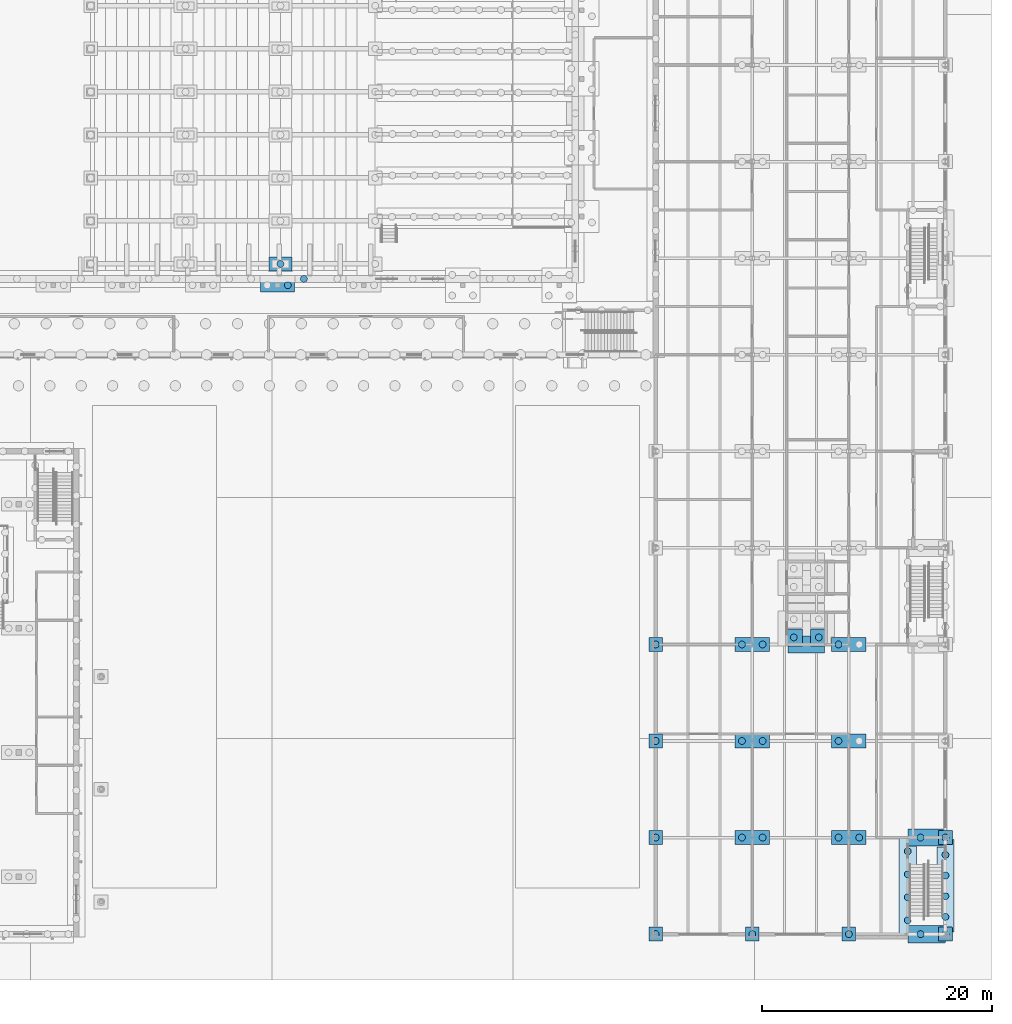
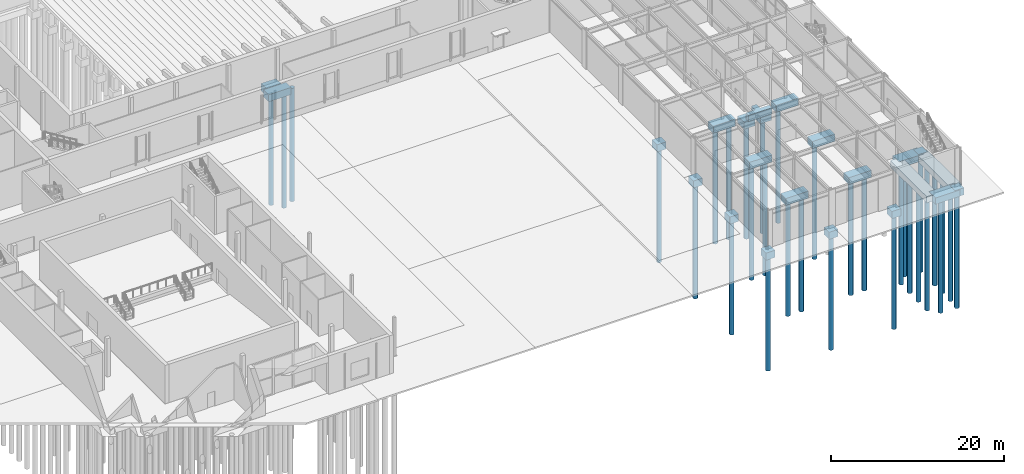
# One storey, part 6 of 127: 33 piles, 23 footings.
"""IFC4 building model written with IfcOpenShell, lengths in metres."""

from ifc_helpers import new_model, si_unit, direction, frame, origin, origin_2d, place, context, subcontext, project, spatial, polyline, circle, outline, extrude, material, layer, layer_set, material_profile, profile_set, type_object, element, save


model = new_model("IFC4")

# Units and contexts
model_context = context("Model", 3, precision=1e-05, world=origin(), true_north=direction((0.0, 1.0)))
body_context = subcontext(model_context, "Body", "Model", "MODEL_VIEW")
ifc_project = project(units=[si_unit("LENGTHUNIT", "METRE"), si_unit("AREAUNIT", "SQUARE_METRE"), si_unit("VOLUMEUNIT", "CUBIC_METRE"), si_unit("PLANEANGLEUNIT", "RADIAN"), si_unit("MASSUNIT", "GRAM", prefix="KILO")], contexts=[model_context])

# Site, building, storey
site_placement = place(None, origin())
site = spatial("IfcSite", under=ifc_project, at=site_placement, CompositionType="ELEMENT")
building_placement = place(site_placement, origin())
building = spatial("IfcBuilding", under=site, at=building_placement, Name="Ljudholm Concert House", CompositionType="ELEMENT")
storey_placement = place(building_placement, origin())
storey = spatial("IfcBuildingStorey", under=building, at=storey_placement, Name="L00", CompositionType="ELEMENT", Elevation=0.0)

# Piles
ifc_material_1 = material(Name="Concrete 5,000 psi", Category="concrete")
ifc_material_profile = material_profile(ifc_material_1, circle(Radius=0.300048828125, at=origin_2d()), Name="AUGER-CAST PILE D600")
ifc_profile_set = profile_set([ifc_material_profile], Name="Concrete 5,000 psi")
pile_type = type_object("IfcPileType", Name="AUGER-CAST PILE D600", PredefinedType="BORED", material=ifc_profile_set)
for number, where, z_axis, x_axis, name in (
    (1, (64.39990234375, 60.449951171875, -1.300048828125), (0.0, 0.0, -1.0), (1.0, 0.0, 0.0), "Pile D600"),
    (2, (63.75, 62.300048828125, -1.804931640625), (0.0, 0.0, -1.0), (1.0, 0.0, 0.0), "Pile D600"),
    (3, (96.39990234375, 4.0, -1.25), (0.0, 0.0, -1.0), (1.0, 0.0, 0.0), "Pile D600"),
    (4, (96.39990234375, 12.39990234375, -1.25), (0.0, 0.0, -1.0), (1.0, 0.0, 0.0), "Pile D600"),
    (5, (96.39990234375, 20.800048828125, -1.25), (0.0, 0.0, -1.0), (1.0, 0.0, 0.0), "Pile D600"),
    (6, (96.39990234375, 29.199951171875, -1.25), (0.0, 0.0, -1.0), (1.0, 0.0, 0.0), "Pile D600"),
    (7, (104.800048828125, 4.0, -1.25), (0.0, 0.0, -1.0), (1.0, 0.0, 0.0), "Pile D600"),
    (8, (103.89990234375, 12.39990234375, -1.25), (0.0, 0.0, -1.0), (1.0, 0.0, 0.0), "Pile D600"),
    (9, (105.699951171875, 12.39990234375, -1.25), (0.0, 0.0, -1.0), (1.0, 0.0, 0.0), "Pile D600"),
    (10, (103.89990234375, 20.800048828125, -1.25), (0.0, 0.0, -1.0), (1.0, 0.0, 0.0), "Pile D600"),
    (11, (105.699951171875, 20.800048828125, -1.25), (0.0, 0.0, -1.0), (1.0, 0.0, 0.0), "Pile D600"),
    (12, (103.89990234375, 29.199951171875, -1.25), (0.0, 0.0, -1.0), (1.0, 0.0, 0.0), "Pile D600"),
    (13, (105.699951171875, 29.199951171875, -1.25), (0.0, 0.0, -1.0), (1.0, 0.0, 0.0), "Pile D600"),
    (14, (113.199951171875, 4.0, -1.25), (0.0, 0.0, -1.0), (1.0, 0.0, 0.0), "Pile D600"),
    (15, (112.300048828125, 12.39990234375, -1.25), (0.0, 0.0, -1.0), (1.0, 0.0, 0.0), "Pile D600"),
    (16, (114.10009765625, 12.39990234375, -1.25), (0.0, 0.0, -1.0), (1.0, 0.0, 0.0), "Pile D600"),
    (17, (112.300048828125, 20.800048828125, -1.25), (0.0, 0.0, -1.0), (1.0, 0.0, 0.0), "Pile D600"),
    (18, (112.300048828125, 29.199951171875, -1.25), (0.0, 0.0, -1.0), (1.0, 0.0, 0.0), "Pile D600"),
    (19, (121.60009765625, 4.0, -1.25), (0.0, 0.0, -1.0), (1.0, 0.0, 0.0), "Pile D600"),
    (20, (121.60009765625, 12.39990234375, -1.25), (0.0, 0.0, -1.0), (1.0, 0.0, 0.0), "Pile D600"),
    (21, (108.41259765625, 29.8125, -2.5), (0.0, 0.0, -1.0), (1.0, 0.0, 0.0), "Pile D600"),
    (22, (110.58740234375, 29.8125, -2.5), (0.0, 0.0, -1.0), (1.0, 0.0, 0.0), "Pile D600"),
    (23, (119.4375, 12.39990234375, -1.14990234375), (0.0, 0.0, -1.0), (1.0, 0.0, 0.0), "Pile D600"),
    (24, (119.4375, 4.0, -1.14990234375), (0.0, 0.0, -1.0), (1.0, 0.0, 0.0), "Pile D600"),
    (25, (65.795166015625, 61.0, -1.199951171875), (0.0, 0.0, -1.0), (1.0, 0.0, 0.0), "Pile D600"),
    (26, (118.324951171875, 5.199951171875, -1.14990234375), (0.0, 0.0, -1.0), (1.0, 0.0, 0.0), "Pile D600"),
    (27, (118.324951171875, 7.199951171875, -1.14990234375), (0.0, 0.0, -1.0), (1.0, 0.0, 0.0), "Pile D600"),
    (28, (118.324951171875, 9.199951171875, -1.14990234375), (0.0, 0.0, -1.0), (1.0, 0.0, 0.0), "Pile D600"),
    (29, (118.324951171875, 11.199951171875, -1.14990234375), (0.0, 0.0, -1.0), (1.0, 0.0, 0.0), "Pile D600"),
    (30, (121.60009765625, 5.5, -1.14990234375), (0.0, 0.0, -1.0), (1.0, 0.0, 0.0), "Pile D600"),
    (31, (121.60009765625, 7.300048828125, -1.14990234375), (0.0, 0.0, -1.0), (1.0, 0.0, 0.0), "Pile D600"),
    (32, (121.60009765625, 9.10009765625, -1.14990234375), (0.0, 0.0, -1.0), (1.0, 0.0, 0.0), "Pile D600"),
    (33, (121.60009765625, 10.89990234375, -1.14990234375), (0.0, 0.0, -1.0), (1.0, 0.0, 0.0), "Pile D600"),
):
    element("IfcPile", number, at=place(storey_placement, frame(where, z_axis=z_axis, x_axis=x_axis)), inside=storey, type_object=pile_type, Name=name, PredefinedType="BORED", context=body_context, shape_type="SweptSolid", body=[
        extrude(circle(Radius=0.300048828125, at=origin_2d()), origin(), (0.0, 0.0, 1.0), 16.0),
    ])

# Footings
ifc_material_2 = material(Name="Concrete 5,000 psi", Category="concrete")
ifc_layer_1 = layer(ifc_material_2, 1.0)
ifc_layer_set_1 = layer_set([ifc_layer_1], Name="Concrete 5,000 psi")
footing_type_1 = type_object("IfcFootingType", Name="RC PILE CAP 1200x1200x1000", PredefinedType="PILE_CAP", material=ifc_layer_set_1)
footing_1_placement = place(storey_placement, frame((0.0, 0.0, -1.25)))
element("IfcFooting", 34, at=footing_1_placement, inside=storey, type_object=footing_type_1, Name="Pile cap", PredefinedType="PILE_CAP", context=body_context, shape_type="SweptSolid", body=[
    extrude(outline(polyline([(95.81005859375, 3.39990234375), (96.989990234375, 3.39990234375), (96.993896484375, 3.40087890625), (96.9970703125, 3.40283203125), (96.999267578125, 3.40625), (97.0, 3.409912109375), (97.0, 4.590087890625), (96.999267578125, 4.59375), (96.9970703125, 4.59716796875), (96.993896484375, 4.59912109375), (96.989990234375, 4.60009765625), (95.81005859375, 4.60009765625), (95.80615234375, 4.59912109375), (95.802978515625, 4.59716796875), (95.80078125, 4.59375), (95.800048828125, 4.590087890625), (95.800048828125, 3.409912109375), (95.80078125, 3.40625), (95.802978515625, 3.40283203125), (95.80615234375, 3.40087890625), (95.81005859375, 3.39990234375)])), origin(), (0.0, 0.0, 1.0), 1.0),
])
footing_2_placement = place(storey_placement, frame((0.0, 0.0, -1.25)))
element("IfcFooting", 35, at=footing_2_placement, inside=storey, type_object=footing_type_1, Name="Pile cap", PredefinedType="PILE_CAP", context=body_context, shape_type="SweptSolid", body=[
    extrude(outline(polyline([(95.800048828125, 12.989990234375), (95.800048828125, 11.81005859375), (95.80078125, 11.80615234375), (95.802978515625, 11.802978515625), (95.80615234375, 11.80078125), (95.81005859375, 11.800048828125), (96.989990234375, 11.800048828125), (96.993896484375, 11.80078125), (96.9970703125, 11.802978515625), (96.999267578125, 11.80615234375), (97.0, 11.81005859375), (97.0, 12.989990234375), (96.999267578125, 12.993896484375), (96.9970703125, 12.9970703125), (96.993896484375, 12.999267578125), (96.989990234375, 13.0), (95.81005859375, 13.0), (95.80615234375, 12.999267578125), (95.802978515625, 12.9970703125), (95.80078125, 12.993896484375), (95.800048828125, 12.989990234375)])), origin(), (0.0, 0.0, 1.0), 1.0),
])
footing_3_placement = place(storey_placement, frame((0.0, 0.0, -1.25)))
element("IfcFooting", 36, at=footing_3_placement, inside=storey, type_object=footing_type_1, Name="Pile cap", PredefinedType="PILE_CAP", context=body_context, shape_type="SweptSolid", body=[
    extrude(outline(polyline([(95.81005859375, 20.199951171875), (96.989990234375, 20.199951171875), (96.993896484375, 20.20068359375), (96.9970703125, 20.202880859375), (96.999267578125, 20.2060546875), (97.0, 20.2099609375), (97.0, 21.389892578125), (96.999267578125, 21.393798828125), (96.9970703125, 21.39697265625), (96.993896484375, 21.399169921875), (96.989990234375, 21.39990234375), (95.81005859375, 21.39990234375), (95.80615234375, 21.399169921875), (95.802978515625, 21.39697265625), (95.80078125, 21.393798828125), (95.800048828125, 21.389892578125), (95.800048828125, 20.2099609375), (95.80078125, 20.2060546875), (95.802978515625, 20.202880859375), (95.80615234375, 20.20068359375), (95.81005859375, 20.199951171875)])), origin(), (0.0, 0.0, 1.0), 1.0),
])
footing_4_placement = place(storey_placement, frame((0.0, 0.0, -1.25)))
element("IfcFooting", 37, at=footing_4_placement, inside=storey, type_object=footing_type_1, Name="Pile cap", PredefinedType="PILE_CAP", context=body_context, shape_type="SweptSolid", body=[
    extrude(outline(polyline([(95.800048828125, 29.7900390625), (95.800048828125, 28.610107421875), (95.80078125, 28.606201171875), (95.802978515625, 28.60302734375), (95.80615234375, 28.600830078125), (95.81005859375, 28.60009765625), (96.989990234375, 28.60009765625), (96.993896484375, 28.600830078125), (96.9970703125, 28.60302734375), (96.999267578125, 28.606201171875), (97.0, 28.610107421875), (97.0, 29.7900390625), (96.999267578125, 29.7939453125), (96.9970703125, 29.797119140625), (96.993896484375, 29.79931640625), (96.989990234375, 29.800048828125), (95.81005859375, 29.800048828125), (95.80615234375, 29.79931640625), (95.802978515625, 29.797119140625), (95.80078125, 29.7939453125), (95.800048828125, 29.7900390625)])), origin(), (0.0, 0.0, 1.0), 1.0),
])
footing_5_placement = place(storey_placement, frame((0.0, 0.0, -1.25)))
element("IfcFooting", 38, at=footing_5_placement, inside=storey, type_object=footing_type_1, Name="Pile cap", PredefinedType="PILE_CAP", context=body_context, shape_type="SweptSolid", body=[
    extrude(outline(polyline([(104.199951171875, 4.590087890625), (104.199951171875, 3.409912109375), (104.20068359375, 3.40625), (104.202880859375, 3.40283203125), (104.2060546875, 3.40087890625), (104.2099609375, 3.39990234375), (105.389892578125, 3.39990234375), (105.393798828125, 3.40087890625), (105.39697265625, 3.40283203125), (105.399169921875, 3.40625), (105.39990234375, 3.409912109375), (105.39990234375, 4.590087890625), (105.399169921875, 4.59375), (105.39697265625, 4.59716796875), (105.393798828125, 4.59912109375), (105.389892578125, 4.60009765625), (104.2099609375, 4.60009765625), (104.2060546875, 4.59912109375), (104.202880859375, 4.59716796875), (104.20068359375, 4.59375), (104.199951171875, 4.590087890625)])), origin(), (0.0, 0.0, 1.0), 1.0),
])
footing_6_placement = place(storey_placement, frame((0.0, 0.0, -1.25)))
element("IfcFooting", 39, at=footing_6_placement, inside=storey, type_object=footing_type_1, Name="Pile cap", PredefinedType="PILE_CAP", context=body_context, shape_type="SweptSolid", body=[
    extrude(outline(polyline([(112.60009765625, 4.590087890625), (112.60009765625, 3.409912109375), (112.600830078125, 3.40625), (112.60302734375, 3.40283203125), (112.606201171875, 3.40087890625), (112.610107421875, 3.39990234375), (113.7900390625, 3.39990234375), (113.7939453125, 3.40087890625), (113.797119140625, 3.40283203125), (113.79931640625, 3.40625), (113.800048828125, 3.409912109375), (113.800048828125, 4.590087890625), (113.79931640625, 4.59375), (113.797119140625, 4.59716796875), (113.7939453125, 4.59912109375), (113.7900390625, 4.60009765625), (112.610107421875, 4.60009765625), (112.606201171875, 4.59912109375), (112.60302734375, 4.59716796875), (112.600830078125, 4.59375), (112.60009765625, 4.590087890625)])), origin(), (0.0, 0.0, 1.0), 1.0),
])
footing_7_placement = place(storey_placement, frame((0.0, 0.0, -1.25)))
element("IfcFooting", 40, at=footing_7_placement, inside=storey, type_object=footing_type_1, Name="Pile cap", PredefinedType="PILE_CAP", context=body_context, shape_type="SweptSolid", body=[
    extrude(outline(polyline([(121.010009765625, 3.39990234375), (122.18994140625, 3.39990234375), (122.19384765625, 3.40087890625), (122.197021484375, 3.40283203125), (122.19921875, 3.40625), (122.199951171875, 3.409912109375), (122.199951171875, 4.590087890625), (122.19921875, 4.59375), (122.197021484375, 4.59716796875), (122.19384765625, 4.59912109375), (122.18994140625, 4.60009765625), (121.010009765625, 4.60009765625), (121.006103515625, 4.59912109375), (121.0029296875, 4.59716796875), (121.000732421875, 4.59375), (121.0, 4.590087890625), (121.0, 3.409912109375), (121.000732421875, 3.40625), (121.0029296875, 3.40283203125), (121.006103515625, 3.40087890625), (121.010009765625, 3.39990234375)])), origin(), (0.0, 0.0, 1.0), 1.0),
])
footing_8_placement = place(storey_placement, frame((0.0, 0.0, -1.25)))
element("IfcFooting", 41, at=footing_8_placement, inside=storey, type_object=footing_type_1, Name="Pile cap", PredefinedType="PILE_CAP", context=body_context, shape_type="SweptSolid", body=[
    extrude(outline(polyline([(121.0, 12.989990234375), (121.0, 11.81005859375), (121.000732421875, 11.80615234375), (121.0029296875, 11.802978515625), (121.006103515625, 11.80078125), (121.010009765625, 11.800048828125), (122.18994140625, 11.800048828125), (122.19384765625, 11.80078125), (122.197021484375, 11.802978515625), (122.19921875, 11.80615234375), (122.199951171875, 11.81005859375), (122.199951171875, 12.989990234375), (122.19921875, 12.993896484375), (122.197021484375, 12.9970703125), (122.19384765625, 12.999267578125), (122.18994140625, 13.0), (121.010009765625, 13.0), (121.006103515625, 12.999267578125), (121.0029296875, 12.9970703125), (121.000732421875, 12.993896484375), (121.0, 12.989990234375)])), origin(), (0.0, 0.0, 1.0), 1.0),
])
ifc_material_3 = material(Name="Concrete 5,000 psi", Category="concrete")
ifc_layer_2 = layer(ifc_material_3, 1.0)
ifc_layer_set_2 = layer_set([ifc_layer_2], Name="Concrete 5,000 psi")
footing_type_2 = type_object("IfcFootingType", Name="RC PILE CAP 1500x1500x1000", PredefinedType="PILE_CAP", material=ifc_layer_set_2)
footing_9_placement = place(storey_placement, frame((0.0, 0.0, -2.5)))
element("IfcFooting", 42, at=footing_9_placement, inside=storey, type_object=footing_type_2, Name="Pile cap", PredefinedType="PILE_CAP", context=body_context, shape_type="SweptSolid", body=[
    extrude(outline(polyline([(107.68505859375, 29.074951171875), (109.139892578125, 29.074951171875), (109.143798828125, 29.07568359375), (109.14697265625, 29.077880859375), (109.149169921875, 29.0810546875), (109.14990234375, 29.0849609375), (109.14990234375, 30.5400390625), (109.149169921875, 30.5439453125), (109.14697265625, 30.547119140625), (109.143798828125, 30.54931640625), (109.139892578125, 30.550048828125), (107.68505859375, 30.550048828125), (107.68115234375, 30.54931640625), (107.677978515625, 30.547119140625), (107.67578125, 30.5439453125), (107.675048828125, 30.5400390625), (107.675048828125, 29.0849609375), (107.67578125, 29.0810546875), (107.677978515625, 29.077880859375), (107.68115234375, 29.07568359375), (107.68505859375, 29.074951171875)])), origin(), (0.0, 0.0, 1.0), 1.0),
])
footing_10_placement = place(storey_placement, frame((0.0, 0.0, -2.5)))
element("IfcFooting", 43, at=footing_10_placement, inside=storey, type_object=footing_type_2, Name="Pile cap", PredefinedType="PILE_CAP", context=body_context, shape_type="SweptSolid", body=[
    extrude(outline(polyline([(109.860107421875, 29.074951171875), (111.31494140625, 29.074951171875), (111.31884765625, 29.07568359375), (111.322021484375, 29.077880859375), (111.32421875, 29.0810546875), (111.324951171875, 29.0849609375), (111.324951171875, 30.5400390625), (111.32421875, 30.5439453125), (111.322021484375, 30.547119140625), (111.31884765625, 30.54931640625), (111.31494140625, 30.550048828125), (109.860107421875, 30.550048828125), (109.856201171875, 30.54931640625), (109.85302734375, 30.547119140625), (109.850830078125, 30.5439453125), (109.85009765625, 30.5400390625), (109.85009765625, 29.0849609375), (109.850830078125, 29.0810546875), (109.85302734375, 29.077880859375), (109.856201171875, 29.07568359375), (109.860107421875, 29.074951171875)])), origin(), (0.0, 0.0, 1.0), 1.0),
])
ifc_material_4 = material(Name="Concrete 5,000 psi", Category="concrete")
ifc_layer_3 = layer(ifc_material_4, 1.0)
ifc_layer_set_3 = layer_set([ifc_layer_3], Name="Concrete 5,000 psi")
footing_type_3 = type_object("IfcFootingType", Name="RC PILE CAP 2000x1200x1000", PredefinedType="PILE_CAP", material=ifc_layer_set_3)
footing_11_placement = place(storey_placement, frame((0.0, 0.0, -1.804931640625)))
element("IfcFooting", 44, at=footing_11_placement, inside=storey, type_object=footing_type_3, Name="Pile cap", PredefinedType="PILE_CAP", context=body_context, shape_type="SweptSolid", body=[
    extrude(outline(polyline([(62.760009765625, 61.699951171875), (64.739990234375, 61.699951171875), (64.74560546875, 61.70166015625), (64.748779296875, 61.705322265625), (64.75, 61.7099609375), (64.75, 62.889892578125), (64.748291015625, 62.8955078125), (64.74462890625, 62.89892578125), (64.739990234375, 62.89990234375), (62.760009765625, 62.89990234375), (62.75439453125, 62.898193359375), (62.751220703125, 62.894775390625), (62.75, 62.889892578125), (62.75, 61.7099609375), (62.750732421875, 61.7060546875), (62.7529296875, 61.702880859375), (62.756103515625, 61.70068359375), (62.760009765625, 61.699951171875)])), origin(), (0.0, 0.0, 1.0), 1.0),
])
ifc_material_5 = material(Name="Concrete 5,000 psi", Category="concrete")
ifc_layer_4 = layer(ifc_material_5, 1.0)
ifc_layer_set_4 = layer_set([ifc_layer_4], Name="Concrete 5,000 psi")
footing_type_4 = type_object("IfcFootingType", Name="RC PILE CAP 3000x1200x1000", PredefinedType="PILE_CAP", material=ifc_layer_set_4)
footing_12_placement = place(storey_placement, frame((0.0, 0.0, -1.300048828125)))
element("IfcFooting", 45, at=footing_12_placement, inside=storey, type_object=footing_type_4, Name="Pile cap", PredefinedType="PILE_CAP", context=body_context, shape_type="SweptSolid", body=[
    extrude(outline(polyline([(62.0, 61.0400390625), (62.0, 59.860107421875), (62.001708984375, 59.8544921875), (62.006103515625, 59.850830078125), (62.010009765625, 59.85009765625), (64.989990234375, 59.85009765625), (64.99560546875, 59.851806640625), (64.999267578125, 59.856201171875), (65.0, 59.860107421875), (65.0, 61.0400390625), (64.998291015625, 61.045654296875), (64.993896484375, 61.04931640625), (64.989990234375, 61.050048828125), (62.010009765625, 61.050048828125), (62.006103515625, 61.04931640625), (62.0029296875, 61.047119140625), (62.000732421875, 61.0439453125), (62.0, 61.0400390625)])), origin(), (0.0, 0.0, 1.0), 1.0),
])
footing_13_placement = place(storey_placement, frame((0.0, 0.0, -1.25)))
element("IfcFooting", 46, at=footing_13_placement, inside=storey, type_object=footing_type_4, Name="Pile cap", PredefinedType="PILE_CAP", context=body_context, shape_type="SweptSolid", body=[
    extrude(outline(polyline([(103.300048828125, 12.989990234375), (103.300048828125, 11.81005859375), (103.3017578125, 11.804443359375), (103.30615234375, 11.80078125), (103.31005859375, 11.800048828125), (106.2900390625, 11.800048828125), (106.295654296875, 11.8017578125), (106.29931640625, 11.80615234375), (106.300048828125, 11.81005859375), (106.300048828125, 12.989990234375), (106.29833984375, 12.99560546875), (106.2939453125, 12.999267578125), (106.2900390625, 13.0), (103.31005859375, 13.0), (103.30615234375, 12.999267578125), (103.302978515625, 12.9970703125), (103.30078125, 12.993896484375), (103.300048828125, 12.989990234375)])), origin(), (0.0, 0.0, 1.0), 1.0),
])
footing_14_placement = place(storey_placement, frame((0.0, 0.0, -1.25)))
element("IfcFooting", 47, at=footing_14_placement, inside=storey, type_object=footing_type_4, Name="Pile cap", PredefinedType="PILE_CAP", context=body_context, shape_type="SweptSolid", body=[
    extrude(outline(polyline([(103.31005859375, 20.199951171875), (106.2900390625, 20.199951171875), (106.2939453125, 20.20068359375), (106.29833984375, 20.204345703125), (106.300048828125, 20.2099609375), (106.300048828125, 21.389892578125), (106.29931640625, 21.393798828125), (106.295654296875, 21.398193359375), (106.2900390625, 21.39990234375), (103.31005859375, 21.39990234375), (103.30615234375, 21.399169921875), (103.3017578125, 21.3955078125), (103.300048828125, 21.389892578125), (103.300048828125, 20.2099609375), (103.30078125, 20.2060546875), (103.302978515625, 20.202880859375), (103.30615234375, 20.20068359375), (103.31005859375, 20.199951171875)])), origin(), (0.0, 0.0, 1.0), 1.0),
])
footing_15_placement = place(storey_placement, frame((0.0, 0.0, -1.25)))
element("IfcFooting", 48, at=footing_15_placement, inside=storey, type_object=footing_type_4, Name="Pile cap", PredefinedType="PILE_CAP", context=body_context, shape_type="SweptSolid", body=[
    extrude(outline(polyline([(103.300048828125, 29.7900390625), (103.300048828125, 28.610107421875), (103.3017578125, 28.6044921875), (103.30615234375, 28.600830078125), (103.31005859375, 28.60009765625), (106.2900390625, 28.60009765625), (106.295654296875, 28.601806640625), (106.29931640625, 28.606201171875), (106.300048828125, 28.610107421875), (106.300048828125, 29.7900390625), (106.29833984375, 29.795654296875), (106.2939453125, 29.79931640625), (106.2900390625, 29.800048828125), (103.31005859375, 29.800048828125), (103.30615234375, 29.79931640625), (103.302978515625, 29.797119140625), (103.30078125, 29.7939453125), (103.300048828125, 29.7900390625)])), origin(), (0.0, 0.0, 1.0), 1.0),
])
footing_16_placement = place(storey_placement, frame((0.0, 0.0, -1.25)))
element("IfcFooting", 49, at=footing_16_placement, inside=storey, type_object=footing_type_4, Name="Pile cap", PredefinedType="PILE_CAP", context=body_context, shape_type="SweptSolid", body=[
    extrude(outline(polyline([(111.699951171875, 12.989990234375), (111.699951171875, 11.81005859375), (111.70166015625, 11.804443359375), (111.7060546875, 11.80078125), (111.7099609375, 11.800048828125), (114.68994140625, 11.800048828125), (114.695556640625, 11.8017578125), (114.69921875, 11.80615234375), (114.699951171875, 11.81005859375), (114.699951171875, 12.989990234375), (114.6982421875, 12.99560546875), (114.69384765625, 12.999267578125), (114.68994140625, 13.0), (111.7099609375, 13.0), (111.7060546875, 12.999267578125), (111.702880859375, 12.9970703125), (111.70068359375, 12.993896484375), (111.699951171875, 12.989990234375)])), origin(), (0.0, 0.0, 1.0), 1.0),
])
footing_17_placement = place(storey_placement, frame((0.0, 0.0, -1.25)))
element("IfcFooting", 50, at=footing_17_placement, inside=storey, type_object=footing_type_4, Name="Pile cap", PredefinedType="PILE_CAP", context=body_context, shape_type="SweptSolid", body=[
    extrude(outline(polyline([(111.699951171875, 21.389892578125), (111.699951171875, 20.2099609375), (111.70166015625, 20.204345703125), (111.7060546875, 20.20068359375), (111.7099609375, 20.199951171875), (114.68994140625, 20.199951171875), (114.695556640625, 20.20166015625), (114.69921875, 20.2060546875), (114.699951171875, 20.2099609375), (114.699951171875, 21.389892578125), (114.6982421875, 21.3955078125), (114.69384765625, 21.399169921875), (114.68994140625, 21.39990234375), (111.7099609375, 21.39990234375), (111.7060546875, 21.399169921875), (111.702880859375, 21.39697265625), (111.70068359375, 21.393798828125), (111.699951171875, 21.389892578125)])), origin(), (0.0, 0.0, 1.0), 1.0),
])
footing_18_placement = place(storey_placement, frame((0.0, 0.0, -1.25)))
element("IfcFooting", 51, at=footing_18_placement, inside=storey, type_object=footing_type_4, Name="Pile cap", PredefinedType="PILE_CAP", context=body_context, shape_type="SweptSolid", body=[
    extrude(outline(polyline([(111.7099609375, 28.60009765625), (114.68994140625, 28.60009765625), (114.69384765625, 28.600830078125), (114.6982421875, 28.6044921875), (114.699951171875, 28.610107421875), (114.699951171875, 29.7900390625), (114.69921875, 29.7939453125), (114.695556640625, 29.79833984375), (114.68994140625, 29.800048828125), (111.7099609375, 29.800048828125), (111.7060546875, 29.79931640625), (111.70166015625, 29.795654296875), (111.699951171875, 29.7900390625), (111.699951171875, 28.610107421875), (111.70068359375, 28.606201171875), (111.702880859375, 28.60302734375), (111.7060546875, 28.600830078125), (111.7099609375, 28.60009765625)])), origin(), (0.0, 0.0, 1.0), 1.0),
])
ifc_material_6 = material(Name="Concrete 5,000 psi", Category="concrete")
ifc_layer_5 = layer(ifc_material_6, 0.89990234375)
ifc_layer_set_5 = layer_set([ifc_layer_5], Name="Concrete 5,000 psi")
footing_type_5 = type_object("IfcFootingType", Name="RC STRIP FOOTING 1500x900", PredefinedType="STRIP_FOOTING", material=ifc_layer_set_5)
footing_19_placement = place(storey_placement, frame((0.0, 0.0, -1.14990234375)))
element("IfcFooting", 52, at=footing_19_placement, inside=storey, type_object=footing_type_5, Name="Strip footing", PredefinedType="STRIP_FOOTING", context=body_context, shape_type="SweptSolid", body=[
    extrude(outline(polyline([(118.3349609375, 11.64990234375), (121.581787109375, 11.64990234375), (121.585693359375, 11.65087890625), (121.590087890625, 11.654541015625), (121.591796875, 11.659912109375), (121.591796875, 11.7900390625), (121.590087890625, 11.795654296875), (121.58740234375, 11.79833984375), (121.584716796875, 11.799560546875), (121.01025390625, 11.800048828125), (121.00439453125, 11.8017578125), (121.000732421875, 11.80615234375), (121.0, 11.810302734375), (121.0, 12.98974609375), (121.000732421875, 12.993896484375), (121.0029296875, 12.9970703125), (121.006103515625, 12.999267578125), (121.01025390625, 13.0), (121.584716796875, 13.00048828125), (121.58740234375, 13.001708984375), (121.590087890625, 13.00439453125), (121.591796875, 13.010009765625), (121.591796875, 13.139892578125), (121.591064453125, 13.143798828125), (121.58740234375, 13.148193359375), (121.581787109375, 13.14990234375), (118.3349609375, 13.14990234375), (118.3310546875, 13.149169921875), (118.32666015625, 13.1455078125), (118.324951171875, 13.139892578125), (118.324951171875, 11.659912109375), (118.32568359375, 11.65625), (118.327880859375, 11.65283203125), (118.3310546875, 11.65087890625), (118.3349609375, 11.64990234375)])), origin(), (0.0, 0.0, 1.0), 0.89990234375),
])
footing_20_placement = place(storey_placement, frame((0.0, 0.0, -1.14990234375)))
element("IfcFooting", 53, at=footing_20_placement, inside=storey, type_object=footing_type_5, Name="Strip footing", PredefinedType="STRIP_FOOTING", context=body_context, shape_type="SweptSolid", body=[
    extrude(outline(polyline([(118.3349609375, 3.25), (121.581787109375, 3.25), (121.585693359375, 3.250732421875), (121.590087890625, 3.25439453125), (121.591796875, 3.260009765625), (121.591796875, 3.389892578125), (121.590087890625, 3.3955078125), (121.58740234375, 3.398193359375), (121.584716796875, 3.399658203125), (121.01025390625, 3.39990234375), (121.00439453125, 3.401611328125), (121.000732421875, 3.40625), (121.0, 3.41015625), (121.0, 4.58984375), (121.000732421875, 4.59375), (121.0029296875, 4.59716796875), (121.006103515625, 4.59912109375), (121.01025390625, 4.60009765625), (121.584716796875, 4.600341796875), (121.58740234375, 4.601806640625), (121.590087890625, 4.6044921875), (121.591796875, 4.610107421875), (121.591796875, 4.739990234375), (121.591064453125, 4.743896484375), (121.58740234375, 4.748291015625), (121.581787109375, 4.75), (118.3349609375, 4.75), (118.3310546875, 4.749267578125), (118.32666015625, 4.74560546875), (118.324951171875, 4.739990234375), (118.324951171875, 3.260009765625), (118.32568359375, 3.256103515625), (118.327880859375, 3.2529296875), (118.3310546875, 3.250732421875), (118.3349609375, 3.25)])), origin(), (0.0, 0.0, 1.0), 0.89990234375),
])
footing_21_placement = place(storey_placement, frame((0.0, 0.0, -1.14990234375)))
element("IfcFooting", 54, at=footing_21_placement, inside=storey, type_object=footing_type_5, Name="Strip footing", PredefinedType="STRIP_FOOTING", context=body_context, shape_type="SweptSolid", body=[
    extrude(outline(polyline([(107.93505859375, 28.449951171875), (111.06689453125, 28.4501953125), (111.070556640625, 28.45166015625), (111.07275390625, 28.45361328125), (111.07421875, 28.4560546875), (111.074951171875, 28.4599609375), (111.07470703125, 29.06689453125), (111.07373046875, 29.06982421875), (111.0712890625, 29.07275390625), (111.06884765625, 29.07421875), (111.06494140625, 29.074951171875), (109.8603515625, 29.074951171875), (109.856201171875, 29.07568359375), (109.851806640625, 29.079345703125), (109.85009765625, 29.085205078125), (109.85009765625, 29.93994140625), (109.84912109375, 29.94384765625), (109.84765625, 29.9462890625), (109.8447265625, 29.94873046875), (109.840087890625, 29.949951171875), (109.157958984375, 29.94970703125), (109.154541015625, 29.9482421875), (109.15234375, 29.9462890625), (109.15087890625, 29.94384765625), (109.14990234375, 29.93994140625), (109.14990234375, 29.085205078125), (109.149658203125, 29.08203125), (109.147705078125, 29.07861328125), (109.143798828125, 29.07568359375), (109.1396484375, 29.074951171875), (107.93505859375, 29.074951171875), (107.93017578125, 29.07373046875), (107.92626953125, 29.06982421875), (107.925048828125, 29.06494140625), (107.925048828125, 28.4599609375), (107.92578125, 28.4560546875), (107.927978515625, 28.452880859375), (107.93115234375, 28.45068359375), (107.93505859375, 28.449951171875)])), origin(), (0.0, 0.0, 1.0), 0.89990234375),
])
footing_22_placement = place(storey_placement, frame((0.0, 0.0, -1.14990234375)))
element("IfcFooting", 55, at=footing_22_placement, inside=storey, type_object=footing_type_5, Name="Strip footing", PredefinedType="STRIP_FOOTING", context=body_context, shape_type="SweptSolid", body=[
    extrude(outline(polyline([(117.574951171875, 12.389892578125), (117.574951171875, 4.009033203125), (117.57568359375, 4.006103515625), (117.577880859375, 4.0029296875), (117.5810546875, 4.000732421875), (117.5849609375, 4.0), (118.31591796875, 4.0), (118.31982421875, 4.001220703125), (118.322021484375, 4.0029296875), (118.32421875, 4.006103515625), (118.324951171875, 4.010009765625), (118.324951171875, 4.73974609375), (118.32568359375, 4.743896484375), (118.327880859375, 4.7470703125), (118.331298828125, 4.749267578125), (118.335205078125, 4.75), (119.06494140625, 4.75), (119.06884765625, 4.750732421875), (119.072021484375, 4.7529296875), (119.07421875, 4.756103515625), (119.074951171875, 4.759033203125), (119.074951171875, 11.640869140625), (119.07421875, 11.643798828125), (119.072021484375, 11.64697265625), (119.06884765625, 11.649169921875), (119.06494140625, 11.64990234375), (118.335205078125, 11.64990234375), (118.331298828125, 11.65087890625), (118.327880859375, 11.65283203125), (118.32568359375, 11.65625), (118.324951171875, 11.66015625), (118.324951171875, 12.389892578125), (118.32373046875, 12.394775390625), (118.31982421875, 12.39892578125), (118.31494140625, 12.39990234375), (117.5849609375, 12.39990234375), (117.5810546875, 12.399169921875), (117.577880859375, 12.39697265625), (117.57568359375, 12.393798828125), (117.574951171875, 12.389892578125)])), origin(), (0.0, 0.0, 1.0), 0.89990234375),
])
footing_23_placement = place(storey_placement, frame((0.0, 0.0, -1.14990234375)))
element("IfcFooting", 56, at=footing_23_placement, inside=storey, type_object=footing_type_5, Name="Strip footing", PredefinedType="STRIP_FOOTING", context=body_context, shape_type="SweptSolid", body=[
    extrude(outline(polyline([(120.860107421875, 4.800048828125), (121.6337890625, 4.7998046875), (121.637451171875, 4.79833984375), (121.6396484375, 4.79638671875), (121.641845703125, 4.791015625), (121.641845703125, 4.610107421875), (121.6435546875, 4.6044921875), (121.64794921875, 4.600830078125), (121.65185546875, 4.60009765625), (122.189697265625, 4.60009765625), (122.19384765625, 4.59912109375), (122.1982421875, 4.595458984375), (122.199951171875, 4.58984375), (122.199951171875, 4.19677734375), (122.20068359375, 4.19287109375), (122.204345703125, 4.1884765625), (122.2099609375, 4.186767578125), (122.340087890625, 4.186767578125), (122.345458984375, 4.1884765625), (122.34912109375, 4.19287109375), (122.35009765625, 4.19677734375), (122.35009765625, 12.203369140625), (122.34912109375, 12.20703125), (122.34765625, 12.209716796875), (122.345458984375, 12.211669921875), (122.342041015625, 12.213134765625), (122.2099609375, 12.21337890625), (122.204345703125, 12.211669921875), (122.20068359375, 12.20703125), (122.199951171875, 12.203369140625), (122.199951171875, 11.810302734375), (122.1982421875, 11.804443359375), (122.19384765625, 11.80078125), (122.189697265625, 11.800048828125), (121.65185546875, 11.800048828125), (121.64794921875, 11.79931640625), (121.6435546875, 11.795654296875), (121.641845703125, 11.7900390625), (121.641845703125, 11.609130859375), (121.6396484375, 11.603759765625), (121.637451171875, 11.601806640625), (121.6337890625, 11.60009765625), (120.860107421875, 11.60009765625), (120.857177734375, 11.599609375), (120.853759765625, 11.59765625), (120.85107421875, 11.5947265625), (120.85009765625, 11.592041015625), (120.85009765625, 4.81005859375), (120.850830078125, 4.80615234375), (120.85302734375, 4.802978515625), (120.856201171875, 4.80078125), (120.860107421875, 4.800048828125)])), origin(), (0.0, 0.0, 1.0), 0.89990234375),
])

save(model, "model.ifc")
